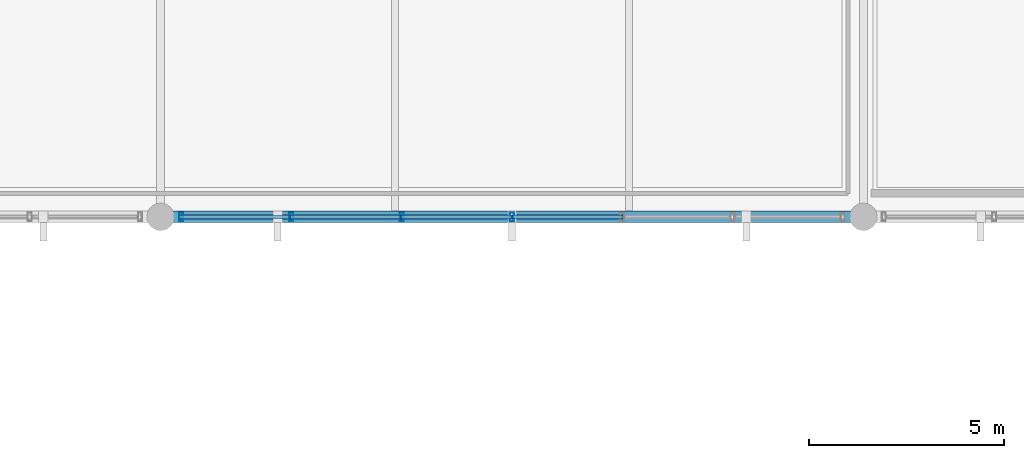
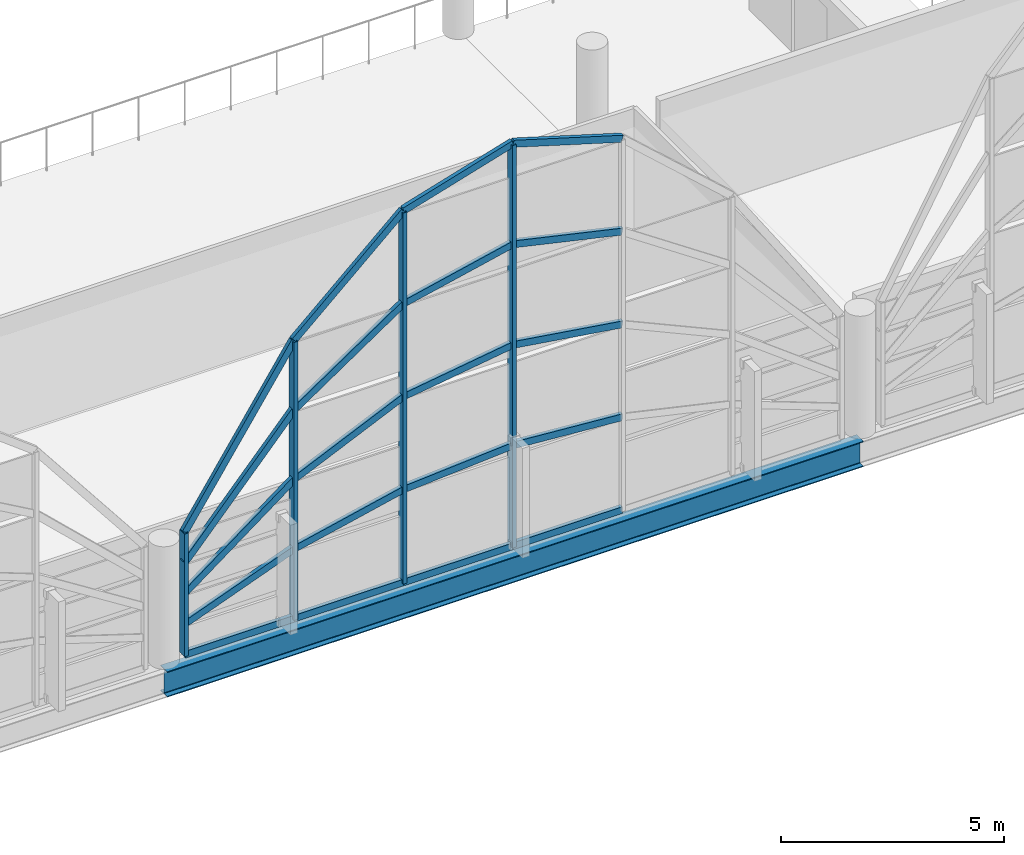
# One storey, part 22 of 116: 24 members, 1 beam, 1 element without a shape of its own.
"""IFC4 building model written with IfcOpenShell, lengths in metres."""

from ifc_helpers import new_model, si_unit, direction, frame, origin, origin_2d, place, context, subcontext, project, spatial, hollow_rectangle, i_section, extrude, material, material_profile, profile_set, type_object, element, aggregate, save


model = new_model("IFC4")

# Units and contexts
model_context = context("Model", 3, precision=1e-05, world=origin(), true_north=direction((0.0, 1.0)))
body_context = subcontext(model_context, "Body", "Model", "MODEL_VIEW")
ifc_project = project(units=[si_unit("LENGTHUNIT", "METRE"), si_unit("AREAUNIT", "SQUARE_METRE"), si_unit("VOLUMEUNIT", "CUBIC_METRE"), si_unit("PLANEANGLEUNIT", "RADIAN"), si_unit("MASSUNIT", "GRAM", prefix="KILO")], contexts=[model_context])

# Site, building, storey
site_placement = place(None, origin())
site = spatial("IfcSite", under=ifc_project, at=site_placement, CompositionType="ELEMENT")
building_placement = place(site_placement, origin())
building = spatial("IfcBuilding", under=site, at=building_placement, Name="Chuanluo Vaults Station", CompositionType="ELEMENT")
storey_placement = place(building_placement, frame((0.0, 0.0, 10.800048828125)))
storey = spatial("IfcBuildingStorey", under=building, at=storey_placement, Name="L02", CompositionType="ELEMENT", Elevation=10.800048828125)

# Beam
ifc_material_1 = material(Name="Steel Q355C", Category="steel")
ifc_material_profile_1 = material_profile(ifc_material_1, i_section(OverallWidth=0.300048828125, OverallDepth=0.699951171875, WebThickness=0.012939453125, FlangeThickness=0.02392578125, FilletRadius=0.02197265625, at=origin_2d()))
ifc_profile_set_1 = profile_set([ifc_material_profile_1], Name="Steel Q355C")
beam_type = type_object("IfcBeamType", Name="BM-GRD-700", PredefinedType="USERDEFINED", material=ifc_profile_set_1)
beam_placement = place(storey_placement, frame((36.0, 18.0, -0.570068359375), z_axis=(1.0, 0.0, 0.0), x_axis=(0.0, 1.0, 0.0)))
element("IfcBeam", 1, at=beam_placement, inside=storey, type_object=beam_type, Name="Floor girder BM:GX:L02:0546", ObjectType="GIRDER", PredefinedType="USERDEFINED", context=body_context, shape_type="SweptSolid", body=[
    extrude(i_section(OverallWidth=0.300048828125, OverallDepth=0.699951171875, WebThickness=0.012939453125, FlangeThickness=0.02392578125, FilletRadius=0.02197265625, at=origin_2d()), origin(), (0.0, 0.0, 1.0), 18.0),
])

# Curtain wall, members
ifc_material_2 = material(Name="Anodised aluminium 6063-T6", Category="aluminium")
curtain_wall_type = type_object("IfcCurtainWallType", Name="CW-SYS-08", PredefinedType="NOTDEFINED", material=ifc_material_2)
curtain_wall_placement = place(storey_placement, origin())
curtain_wall = element("IfcCurtainWall", 2, at=curtain_wall_placement, inside=storey, type_object=curtain_wall_type, Name="Vault V3 south arched curtain wall", PredefinedType="NOTDEFINED")
ifc_material_3 = material(Name="Anodised aluminium 6063-T6", Category="aluminium")
ifc_material_profile_2 = material_profile(ifc_material_3, hollow_rectangle(XDim=0.10498046875, YDim=0.219970703125, WallThickness=0.006103515625, at=origin_2d()))
ifc_profile_set_2 = profile_set([ifc_material_profile_2], Name="Anodised aluminium 6063-T6")
member_type_1 = type_object("IfcMemberType", Name="CWM-140", PredefinedType="MULLION", material=ifc_profile_set_2)
member_1_placement = place(storey_placement, frame((45.0, 18.0, 0.0), z_axis=(0.0, 0.0, 1.0), x_axis=(-1.0, 0.0, 0.0)))
member_1 = element("IfcMember", 3, at=member_1_placement, type_object=member_type_1, Name="Vault V3 south arched curtain wall mullion 4", PredefinedType="MULLION", context=body_context, shape_type="SweptSolid", body=[
    extrude(hollow_rectangle(XDim=0.10498046875, YDim=0.219970703125, WallThickness=0.006103515625, at=origin_2d()), origin(), (0.0, 0.0, 1.0), 11.0),
])
member_2_placement = place(storey_placement, frame((42.175048828125, 18.0, 0.0), z_axis=(0.0, 0.0, 1.0), x_axis=(-1.0, 0.0, 0.0)))
member_2 = element("IfcMember", 4, at=member_2_placement, type_object=member_type_1, Name="Vault V3 south arched curtain wall mullion 5", PredefinedType="MULLION", context=body_context, shape_type="SweptSolid", body=[
    extrude(hollow_rectangle(XDim=0.10498046875, YDim=0.219970703125, WallThickness=0.006103515625, at=origin_2d()), origin(), (0.0, 0.0, 1.0), 10.14990234375),
])
member_3_placement = place(storey_placement, frame((39.35009765625, 18.0, 0.0), z_axis=(0.0, 0.0, 1.0), x_axis=(-1.0, 0.0, 0.0)))
member_3 = element("IfcMember", 5, at=member_3_placement, type_object=member_type_1, Name="Vault V3 south arched curtain wall mullion 6", PredefinedType="MULLION", context=body_context, shape_type="SweptSolid", body=[
    extrude(hollow_rectangle(XDim=0.10498046875, YDim=0.219970703125, WallThickness=0.006103515625, at=origin_2d()), origin(), (0.0, 0.0, 1.0), 7.599853515625),
])
member_4_placement = place(storey_placement, frame((36.52490234375, 18.0, 0.0), z_axis=(0.0, 0.0, 1.0), x_axis=(-1.0, 0.0, 0.0)))
member_4 = element("IfcMember", 6, at=member_4_placement, type_object=member_type_1, Name="Vault V3 south arched curtain wall mullion 7", PredefinedType="MULLION", context=body_context, shape_type="SweptSolid", body=[
    extrude(hollow_rectangle(XDim=0.10498046875, YDim=0.219970703125, WallThickness=0.006103515625, at=origin_2d()), origin(), (0.0, 0.0, 1.0), 3.349853515625),
])
ifc_material_4 = material(Name="Anodised aluminium 6063-T6", Category="aluminium")
ifc_material_profile_3 = material_profile(ifc_material_4, hollow_rectangle(XDim=0.10498046875, YDim=0.18505859375, WallThickness=0.0048828125, at=origin_2d()))
ifc_profile_set_3 = profile_set([ifc_material_profile_3], Name="Anodised aluminium 6063-T6")
member_type_2 = type_object("IfcMemberType", Name="CWT-110", PredefinedType="USERDEFINED", material=ifc_profile_set_3)
member_5_placement = place(storey_placement, frame((47.824951171875, 18.0, 0.0), z_axis=(-1.0, 0.0, 0.0), x_axis=(0.0, -1.0, 0.0)))
member_5 = element("IfcMember", 7, at=member_5_placement, type_object=member_type_2, Name="Vault V3 south arched curtain wall transom 3.1", ObjectType="TRANSOM", PredefinedType="USERDEFINED", context=body_context, shape_type="SweptSolid", body=[
    extrude(hollow_rectangle(XDim=0.10498046875, YDim=0.18505859375, WallThickness=0.0048828125, at=origin_2d()), origin(), (0.0, 0.0, 1.0), 2.824951171875),
])
member_6_placement = place(storey_placement, frame((47.824951171875, 18.0, 2.537353515625), z_axis=(-0.997178866147, 0.0, 0.075062033741), x_axis=(0.0, -1.0, 0.0)))
member_6 = element("IfcMember", 8, at=member_6_placement, type_object=member_type_2, Name="Vault V3 south arched curtain wall transom 3.2", ObjectType="TRANSOM", PredefinedType="USERDEFINED", context=body_context, shape_type="SweptSolid", body=[
    extrude(hollow_rectangle(XDim=0.10498046875, YDim=0.18505859375, WallThickness=0.0048828125, at=origin_2d()), origin(), (0.0, 0.0, 1.0), 2.8330078125),
])
member_7_placement = place(storey_placement, frame((47.824951171875, 18.0, 5.074951171875), z_axis=(-0.988869178476, 0.0, 0.148787593097), x_axis=(0.0, -1.0, 0.0)))
member_7 = element("IfcMember", 9, at=member_7_placement, type_object=member_type_2, Name="Vault V3 south arched curtain wall transom 3.3", ObjectType="TRANSOM", PredefinedType="USERDEFINED", context=body_context, shape_type="SweptSolid", body=[
    extrude(hollow_rectangle(XDim=0.10498046875, YDim=0.18505859375, WallThickness=0.0048828125, at=origin_2d()), origin(), (0.0, 0.0, 1.0), 2.856689453125),
])
member_8_placement = place(storey_placement, frame((47.824951171875, 18.0, 7.612548828125), z_axis=(-0.975473711009, 0.0, 0.220115967457), x_axis=(0.0, -1.0, 0.0)))
member_8 = element("IfcMember", 10, at=member_8_placement, type_object=member_type_2, Name="Vault V3 south arched curtain wall transom 3.4", ObjectType="TRANSOM", PredefinedType="USERDEFINED", context=body_context, shape_type="SweptSolid", body=[
    extrude(hollow_rectangle(XDim=0.10498046875, YDim=0.18505859375, WallThickness=0.0048828125, at=origin_2d()), origin(), (0.0, 0.0, 1.0), 2.89599609375),
])
member_9_placement = place(storey_placement, frame((47.824951171875, 18.0, 10.14990234375), z_axis=(-0.957582224888, 0.0, 0.288160168271), x_axis=(0.0, -1.0, 0.0)))
member_9 = element("IfcMember", 11, at=member_9_placement, type_object=member_type_2, Name="Vault V3 south arched curtain wall transom 3.5", ObjectType="TRANSOM", PredefinedType="USERDEFINED", context=body_context, shape_type="SweptSolid", body=[
    extrude(hollow_rectangle(XDim=0.10498046875, YDim=0.18505859375, WallThickness=0.0048828125, at=origin_2d()), origin(), (0.0, 0.0, 1.0), 2.9501953125),
])
member_10_placement = place(storey_placement, frame((45.0, 18.0, 0.0), z_axis=(-1.0, 0.0, 0.0), x_axis=(0.0, -1.0, 0.0)))
member_10 = element("IfcMember", 12, at=member_10_placement, type_object=member_type_2, Name="Vault V3 south arched curtain wall transom 4.1", ObjectType="TRANSOM", PredefinedType="USERDEFINED", context=body_context, shape_type="SweptSolid", body=[
    extrude(hollow_rectangle(XDim=0.10498046875, YDim=0.18505859375, WallThickness=0.0048828125, at=origin_2d()), origin(), (0.0, 0.0, 1.0), 2.824951171875),
])
member_11_placement = place(storey_placement, frame((45.0, 18.0, 2.75), z_axis=(-0.997178866147, 0.0, -0.075062033741), x_axis=(0.0, -1.0, 0.0)))
member_11 = element("IfcMember", 13, at=member_11_placement, type_object=member_type_2, Name="Vault V3 south arched curtain wall transom 4.2", ObjectType="TRANSOM", PredefinedType="USERDEFINED", context=body_context, shape_type="SweptSolid", body=[
    extrude(hollow_rectangle(XDim=0.10498046875, YDim=0.18505859375, WallThickness=0.0048828125, at=origin_2d()), origin(), (0.0, 0.0, 1.0), 2.8330078125),
])
member_12_placement = place(storey_placement, frame((45.0, 18.0, 5.5), z_axis=(-0.988869178476, 0.0, -0.148787593097), x_axis=(0.0, -1.0, 0.0)))
member_12 = element("IfcMember", 14, at=member_12_placement, type_object=member_type_2, Name="Vault V3 south arched curtain wall transom 4.3", ObjectType="TRANSOM", PredefinedType="USERDEFINED", context=body_context, shape_type="SweptSolid", body=[
    extrude(hollow_rectangle(XDim=0.10498046875, YDim=0.18505859375, WallThickness=0.0048828125, at=origin_2d()), origin(), (0.0, 0.0, 1.0), 2.856689453125),
])
member_13_placement = place(storey_placement, frame((45.0, 18.0, 8.25), z_axis=(-0.975473711009, 0.0, -0.220115967457), x_axis=(0.0, -1.0, 0.0)))
member_13 = element("IfcMember", 15, at=member_13_placement, type_object=member_type_2, Name="Vault V3 south arched curtain wall transom 4.4", ObjectType="TRANSOM", PredefinedType="USERDEFINED", context=body_context, shape_type="SweptSolid", body=[
    extrude(hollow_rectangle(XDim=0.10498046875, YDim=0.18505859375, WallThickness=0.0048828125, at=origin_2d()), origin(), (0.0, 0.0, 1.0), 2.89599609375),
])
member_14_placement = place(storey_placement, frame((45.0, 18.0, 11.0), z_axis=(-0.957582224888, 0.0, -0.288160168271), x_axis=(0.0, -1.0, 0.0)))
member_14 = element("IfcMember", 16, at=member_14_placement, type_object=member_type_2, Name="Vault V3 south arched curtain wall transom 4.5", ObjectType="TRANSOM", PredefinedType="USERDEFINED", context=body_context, shape_type="SweptSolid", body=[
    extrude(hollow_rectangle(XDim=0.10498046875, YDim=0.18505859375, WallThickness=0.0048828125, at=origin_2d()), origin(), (0.0, 0.0, 1.0), 2.9501953125),
])
member_15_placement = place(storey_placement, frame((42.175048828125, 18.0, 0.0), z_axis=(-1.0, 0.0, 0.0), x_axis=(0.0, -1.0, 0.0)))
member_15 = element("IfcMember", 17, at=member_15_placement, type_object=member_type_2, Name="Vault V3 south arched curtain wall transom 5.1", ObjectType="TRANSOM", PredefinedType="USERDEFINED", context=body_context, shape_type="SweptSolid", body=[
    extrude(hollow_rectangle(XDim=0.10498046875, YDim=0.18505859375, WallThickness=0.0048828125, at=origin_2d()), origin(), (0.0, 0.0, 1.0), 2.824951171875),
])
member_16_placement = place(storey_placement, frame((42.175048828125, 18.0, 2.537353515625), z_axis=(-0.975473711009, 0.0, -0.220115967457), x_axis=(0.0, -1.0, 0.0)))
member_16 = element("IfcMember", 18, at=member_16_placement, type_object=member_type_2, Name="Vault V3 south arched curtain wall transom 5.2", ObjectType="TRANSOM", PredefinedType="USERDEFINED", context=body_context, shape_type="SweptSolid", body=[
    extrude(hollow_rectangle(XDim=0.10498046875, YDim=0.18505859375, WallThickness=0.0048828125, at=origin_2d()), origin(), (0.0, 0.0, 1.0), 2.89599609375),
])
member_17_placement = place(storey_placement, frame((42.175048828125, 18.0, 5.074951171875), z_axis=(-0.911477323867, 0.0, -0.41135032281), x_axis=(0.0, -1.0, 0.0)))
member_17 = element("IfcMember", 19, at=member_17_placement, type_object=member_type_2, Name="Vault V3 south arched curtain wall transom 5.3", ObjectType="TRANSOM", PredefinedType="USERDEFINED", context=body_context, shape_type="SweptSolid", body=[
    extrude(hollow_rectangle(XDim=0.10498046875, YDim=0.18505859375, WallThickness=0.0048828125, at=origin_2d()), origin(), (0.0, 0.0, 1.0), 3.099365234375),
])
member_18_placement = place(storey_placement, frame((42.175048828125, 18.0, 7.612548828125), z_axis=(-0.828065516064, 0.0, -0.56063134153), x_axis=(0.0, -1.0, 0.0)))
member_18 = element("IfcMember", 20, at=member_18_placement, type_object=member_type_2, Name="Vault V3 south arched curtain wall transom 5.4", ObjectType="TRANSOM", PredefinedType="USERDEFINED", context=body_context, shape_type="SweptSolid", body=[
    extrude(hollow_rectangle(XDim=0.10498046875, YDim=0.18505859375, WallThickness=0.0048828125, at=origin_2d()), origin(), (0.0, 0.0, 1.0), 3.41162109375),
])
member_19_placement = place(storey_placement, frame((42.175048828125, 18.0, 10.14990234375), z_axis=(-0.742301278751, 0.0, -0.670066274009), x_axis=(0.0, -1.0, 0.0)))
member_19 = element("IfcMember", 21, at=member_19_placement, type_object=member_type_2, Name="Vault V3 south arched curtain wall transom 5.5", ObjectType="TRANSOM", PredefinedType="USERDEFINED", context=body_context, shape_type="SweptSolid", body=[
    extrude(hollow_rectangle(XDim=0.10498046875, YDim=0.18505859375, WallThickness=0.0048828125, at=origin_2d()), origin(), (0.0, 0.0, 1.0), 3.8056640625),
])
member_20_placement = place(storey_placement, frame((39.35009765625, 18.0, 0.0), z_axis=(-1.0, 0.0, 0.0), x_axis=(0.0, -1.0, 0.0)))
member_20 = element("IfcMember", 22, at=member_20_placement, type_object=member_type_2, Name="Vault V3 south arched curtain wall transom 6.1", ObjectType="TRANSOM", PredefinedType="USERDEFINED", context=body_context, shape_type="SweptSolid", body=[
    extrude(hollow_rectangle(XDim=0.10498046875, YDim=0.18505859375, WallThickness=0.0048828125, at=origin_2d()), origin(), (0.0, 0.0, 1.0), 2.8251953125),
])
member_21_placement = place(storey_placement, frame((39.35009765625, 18.0, 1.89990234375), z_axis=(-0.935996355614, 0.0, -0.352009690601), x_axis=(0.0, -1.0, 0.0)))
member_21 = element("IfcMember", 23, at=member_21_placement, type_object=member_type_2, Name="Vault V3 south arched curtain wall transom 6.2", ObjectType="TRANSOM", PredefinedType="USERDEFINED", context=body_context, shape_type="SweptSolid", body=[
    extrude(hollow_rectangle(XDim=0.10498046875, YDim=0.18505859375, WallThickness=0.0048828125, at=origin_2d()), origin(), (0.0, 0.0, 1.0), 3.018310546875),
])
member_22_placement = place(storey_placement, frame((39.35009765625, 18.0, 3.800048828125), z_axis=(-0.799170508407, 0.0, -0.601104398996), x_axis=(0.0, -1.0, 0.0)))
member_22 = element("IfcMember", 24, at=member_22_placement, type_object=member_type_2, Name="Vault V3 south arched curtain wall transom 6.3", ObjectType="TRANSOM", PredefinedType="USERDEFINED", context=body_context, shape_type="SweptSolid", body=[
    extrude(hollow_rectangle(XDim=0.10498046875, YDim=0.18505859375, WallThickness=0.0048828125, at=origin_2d()), origin(), (0.0, 0.0, 1.0), 3.53515625),
])
member_23_placement = place(storey_placement, frame((39.35009765625, 18.0, 5.699951171875), z_axis=(-0.663295841514, 0.0, -0.748357285413), x_axis=(0.0, -1.0, 0.0)))
member_23 = element("IfcMember", 25, at=member_23_placement, type_object=member_type_2, Name="Vault V3 south arched curtain wall transom 6.4", ObjectType="TRANSOM", PredefinedType="USERDEFINED", context=body_context, shape_type="SweptSolid", body=[
    extrude(hollow_rectangle(XDim=0.10498046875, YDim=0.18505859375, WallThickness=0.0048828125, at=origin_2d()), origin(), (0.0, 0.0, 1.0), 4.25927734375),
])
member_24_placement = place(storey_placement, frame((39.35009765625, 18.0, 7.599853515625), z_axis=(-0.553595725421, 0.0, -0.832785550304), x_axis=(0.0, -1.0, 0.0)))
member_24 = element("IfcMember", 26, at=member_24_placement, type_object=member_type_2, Name="Vault V3 south arched curtain wall transom 6.5", ObjectType="TRANSOM", PredefinedType="USERDEFINED", context=body_context, shape_type="SweptSolid", body=[
    extrude(hollow_rectangle(XDim=0.10498046875, YDim=0.18505859375, WallThickness=0.0048828125, at=origin_2d()), origin(), (0.0, 0.0, 1.0), 5.103271484375),
])
aggregate(curtain_wall, [member_1, member_2, member_3, member_4, member_5, member_6, member_7, member_8, member_9, member_10, member_11, member_12, member_13, member_14, member_15, member_16, member_17, member_18, member_19, member_20, member_21, member_22, member_23, member_24])

save(model, "model.ifc")
